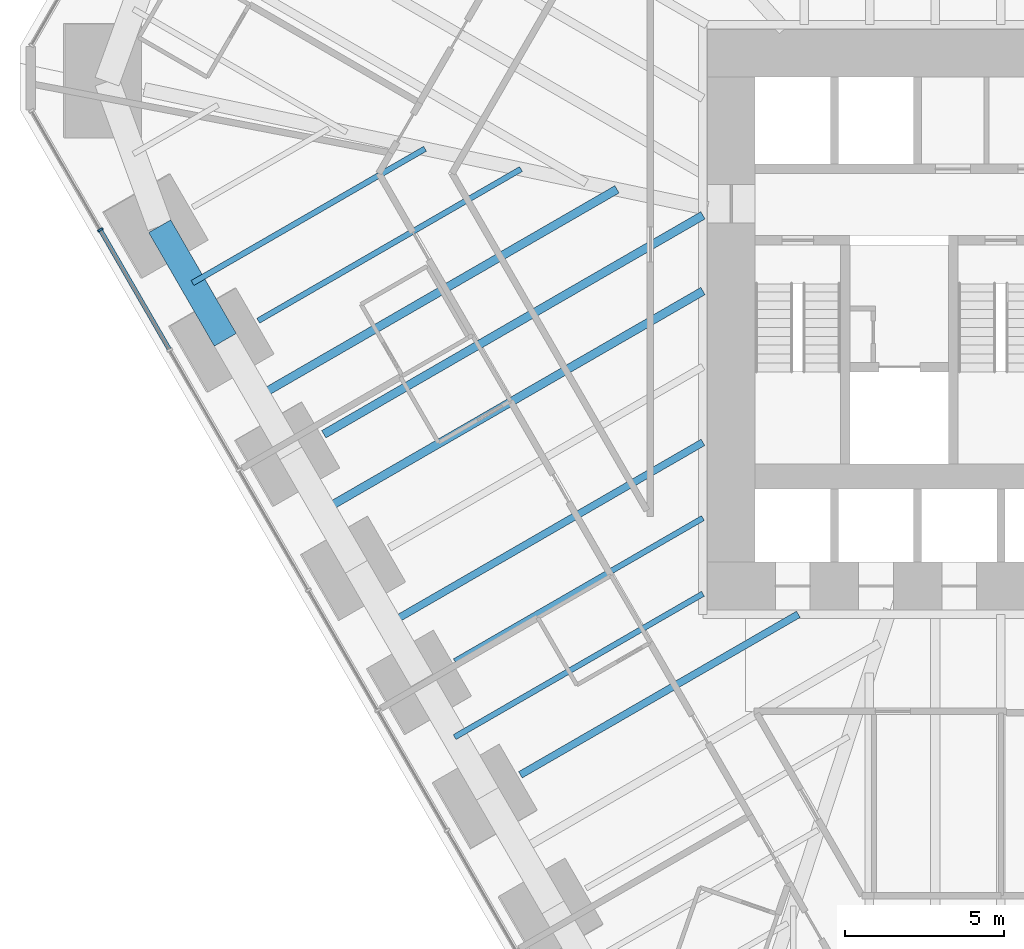
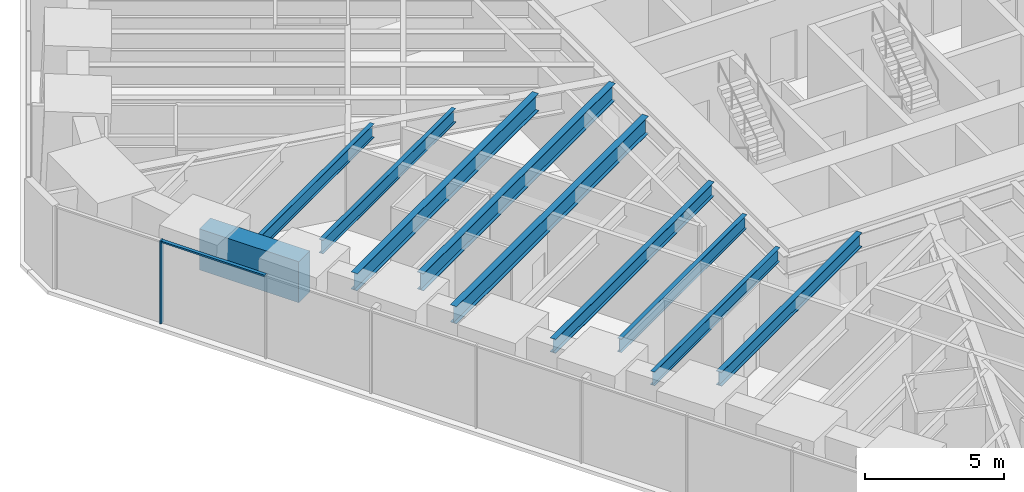
# One storey, part 3 of 17: 10 beams, 2 members, 1 element without a shape of its own.
"""IFC4 building model written with IfcOpenShell, lengths in metres."""

from ifc_helpers import new_model, si_unit, direction, frame, origin, origin_2d, place, context, subcontext, project, spatial, rectangle, i_section, extrude, material, material_profile, profile_set, type_object, element, aggregate, save


model = new_model("IFC4")

# Units and contexts
model_context = context("Model", 3, precision=1e-05, world=origin(), true_north=direction((0.0, 1.0)))
body_context = subcontext(model_context, "Body", "Model", "MODEL_VIEW")
ifc_project = project(units=[si_unit("LENGTHUNIT", "METRE"), si_unit("AREAUNIT", "SQUARE_METRE"), si_unit("VOLUMEUNIT", "CUBIC_METRE"), si_unit("PLANEANGLEUNIT", "RADIAN"), si_unit("MASSUNIT", "GRAM", prefix="KILO")], contexts=[model_context])

# Site, building, storey
site_placement = place(None, origin())
site = spatial("IfcSite", under=ifc_project, at=site_placement, CompositionType="ELEMENT")
building_placement = place(site_placement, origin())
building = spatial("IfcBuilding", under=site, at=building_placement, Name="Sandreach Pilgrim Tower", CompositionType="ELEMENT")
storey_placement = place(building_placement, frame((0.0, 0.0, 64.800048828125)))
storey = spatial("IfcBuildingStorey", under=building, at=storey_placement, Name="L15", CompositionType="ELEMENT", Elevation=64.800048828125)

# Curtain wall, members
ifc_material_1 = material(Name="Aluminium framed curtain wall", Category="aluminium")
curtain_wall_type = type_object("IfcCurtainWallType", Name="Hostel tower curtain wall", PredefinedType="NOTDEFINED", material=ifc_material_1)
curtain_wall_placement = place(storey_placement, origin())
curtain_wall = element("IfcCurtainWall", 1, at=curtain_wall_placement, inside=storey, type_object=curtain_wall_type, Name="CW-1 L15 SW", PredefinedType="NOTDEFINED")
ifc_material_2 = material(Name="Aluminium extrusion", Category="aluminium")
ifc_material_profile_1 = material_profile(ifc_material_2, rectangle(XDim=0.06494140625, YDim=0.179931640625, at=origin_2d()), Name="CW-1M 65X180")
ifc_profile_set_1 = profile_set([ifc_material_profile_1], Name="Aluminium extrusion")
member_type_1 = type_object("IfcMemberType", Name="CW-1 mullion", PredefinedType="MULLION", material=ifc_profile_set_1)
member_1_placement = place(storey_placement, frame((-28.390380859375, 1.2763671875, 0.0), z_axis=(0.0, 0.0, 1.0), x_axis=(-0.5, 0.866025403784, 0.0)))
member_1 = element("IfcMember", 2, at=member_1_placement, type_object=member_type_1, Name="CW-1 mullion 9", PredefinedType="MULLION", context=body_context, shape_type="SweptSolid", body=[
    extrude(rectangle(XDim=0.06494140625, YDim=0.179931640625, at=origin_2d()), origin(), (0.0, 0.0, 1.0), 3.639892578125),
])
ifc_material_3 = material(Name="Aluminium extrusion", Category="aluminium")
ifc_material_profile_2 = material_profile(ifc_material_3, rectangle(XDim=0.139892578125, YDim=0.070068359375, at=origin_2d()), Name="CW-1T 140X70")
ifc_profile_set_2 = profile_set([ifc_material_profile_2], Name="Aluminium extrusion")
member_type_2 = type_object("IfcMemberType", Name="CW-1 transom", PredefinedType="USERDEFINED", material=ifc_profile_set_2)
member_2_placement = place(storey_placement, frame((-26.220947265625, -2.4814453125, 3.60498046875), z_axis=(-0.500016891966, 0.866015650984, 0.0), x_axis=(-0.866015650984, -0.500016891966, 0.0)))
member_2 = element("IfcMember", 3, at=member_2_placement, type_object=member_type_2, Name="CW-1 head transom 8", ObjectType="TRANSOM", PredefinedType="USERDEFINED", context=body_context, shape_type="SweptSolid", body=[
    extrude(rectangle(XDim=0.139892578125, YDim=0.070068359375, at=origin_2d()), origin(), (0.0, 0.0, 1.0), 4.306396484375),
])
aggregate(curtain_wall, [member_1, member_2])

# Beams
ifc_material_4 = material(Name="Steel ASTM A992 Grade 50", Category="steel")
ifc_material_profile_3 = material_profile(ifc_material_4, i_section(OverallWidth=0.1787109375, OverallDepth=0.60205078125, WebThickness=0.010986328125, FlangeThickness=0.014892578125, at=origin_2d()), Name="W24X62")
ifc_profile_set_3 = profile_set([ifc_material_profile_3], Name="Steel ASTM A992 Grade 50")
beam_type_1 = type_object("IfcBeamType", Name="Floor beam W24X62", PredefinedType="BEAM", material=ifc_profile_set_3)
beam_1_placement = place(storey_placement, frame((-17.214111328125, -12.32421875, 3.3388671875), z_axis=(0.866035219743, 0.499982997875, 0.0), x_axis=(-0.499982997875, 0.866035219743, 0.0)))
element("IfcBeam", 4, at=beam_1_placement, inside=storey, type_object=beam_type_1, Name="BM L15 F30", PredefinedType="BEAM", context=body_context, shape_type="SweptSolid", body=[
    extrude(i_section(OverallWidth=0.1787109375, OverallDepth=0.60205078125, WebThickness=0.010986328125, FlangeThickness=0.014892578125, at=origin_2d()), origin(), (0.0, 0.0, 1.0), 9.030517578125),
])
beam_2_placement = place(storey_placement, frame((-23.412353515625, -1.58837890625, 3.3388671875), z_axis=(0.86603087054, 0.499990531182, 0.0), x_axis=(-0.499990531182, 0.86603087054, 0.0)))
element("IfcBeam", 5, at=beam_2_placement, inside=storey, type_object=beam_type_1, Name="BM L15 F33", PredefinedType="BEAM", context=body_context, shape_type="SweptSolid", body=[
    extrude(i_section(OverallWidth=0.1787109375, OverallDepth=0.60205078125, WebThickness=0.010986328125, FlangeThickness=0.014892578125, at=origin_2d()), origin(), (0.0, 0.0, 1.0), 9.565185546875),
])
beam_3_placement = place(storey_placement, frame((-17.22021484375, -14.713623046875, 3.3388671875), z_axis=(0.866028588687, 0.499994483546, 0.0), x_axis=(-0.499994483546, 0.866028588687, 0.0)))
element("IfcBeam", 6, at=beam_3_placement, inside=storey, type_object=beam_type_1, Name="BM L15 FM29", PredefinedType="BEAM", context=body_context, shape_type="SweptSolid", body=[
    extrude(i_section(OverallWidth=0.1787109375, OverallDepth=0.60205078125, WebThickness=0.010986328125, FlangeThickness=0.014892578125, at=origin_2d()), origin(), (0.0, 0.0, 1.0), 9.03759765625),
])
beam_4_placement = place(storey_placement, frame((-25.484619140625, -0.399169921875, 3.3388671875), z_axis=(0.866024677295, 0.500001258315, 0.0), x_axis=(-0.500001258315, 0.866024677295, 0.0)))
element("IfcBeam", 7, at=beam_4_placement, inside=storey, type_object=beam_type_1, Name="BM L15 FM33", PredefinedType="BEAM", context=body_context, shape_type="SweptSolid", body=[
    extrude(i_section(OverallWidth=0.1787109375, OverallDepth=0.60205078125, WebThickness=0.010986328125, FlangeThickness=0.014892578125, at=origin_2d()), origin(), (0.0, 0.0, 1.0), 8.46435546875),
])
ifc_material_5 = material(Name="Steel ASTM A992 Grade 50", Category="steel")
ifc_material_profile_4 = material_profile(ifc_material_5, i_section(OverallWidth=0.23046875, OverallDepth=0.6171875, WebThickness=0.01318359375, FlangeThickness=0.022216796875, at=origin_2d()), Name="W24X94")
ifc_profile_set_4 = profile_set([ifc_material_profile_4], Name="Steel ASTM A992 Grade 50")
beam_type_2 = type_object("IfcBeamType", Name="Floor beam W24X94", PredefinedType="BEAM", material=ifc_profile_set_4)
beam_5_placement = place(storey_placement, frame((-15.14794921875, -15.90283203125, 3.331298828125), z_axis=(0.866025277505, 0.500000218722, 0.0), x_axis=(-0.500000218722, 0.866025277505, 0.0)))
element("IfcBeam", 8, at=beam_5_placement, inside=storey, type_object=beam_type_2, Name="BM L15 F29", PredefinedType="BEAM", context=body_context, shape_type="SweptSolid", body=[
    extrude(i_section(OverallWidth=0.23046875, OverallDepth=0.6171875, WebThickness=0.01318359375, FlangeThickness=0.022216796875, at=origin_2d()), origin(), (0.0, 0.0, 1.0), 10.119140625),
])
beam_6_placement = place(storey_placement, frame((-19.286376953125, -11.135009765625, 3.331298828125), z_axis=(0.866028990792, 0.499993787068, 0.0), x_axis=(-0.499993787068, 0.866028990792, 0.0)))
element("IfcBeam", 9, at=beam_6_placement, inside=storey, type_object=beam_type_2, Name="BM L15 FM30", PredefinedType="BEAM", context=body_context, shape_type="SweptSolid", body=[
    extrude(i_section(OverallWidth=0.23046875, OverallDepth=0.6171875, WebThickness=0.01318359375, FlangeThickness=0.022216796875, at=origin_2d()), origin(), (0.0, 0.0, 1.0), 11.423583984375),
])
ifc_material_6 = material(Name="Steel ASTM A992 Grade 50", Category="steel")
ifc_material_profile_5 = material_profile(ifc_material_6, i_section(OverallWidth=0.2666015625, OverallDepth=0.761962890625, WebThickness=0.014404296875, FlangeThickness=0.021484375, at=origin_2d()), Name="W30X116")
ifc_profile_set_5 = profile_set([ifc_material_profile_5], Name="Steel ASTM A992 Grade 50")
beam_type_3 = type_object("IfcBeamType", Name="Floor beam W30X116", PredefinedType="BEAM", material=ifc_profile_set_5)
beam_7_placement = place(storey_placement, frame((-21.34619140625, -5.1669921875, 3.259033203125), z_axis=(0.866029170928, 0.49999347506, 0.0), x_axis=(-0.49999347506, 0.866029170928, 0.0)))
element("IfcBeam", 10, at=beam_7_placement, inside=storey, type_object=beam_type_3, Name="BM L15 F32", PredefinedType="BEAM", context=body_context, shape_type="SweptSolid", body=[
    extrude(i_section(OverallWidth=0.2666015625, OverallDepth=0.761962890625, WebThickness=0.014404296875, FlangeThickness=0.021484375, at=origin_2d()), origin(), (0.0, 0.0, 1.0), 13.802001953125),
])
beam_8_placement = place(storey_placement, frame((-21.352294921875, -7.556396484375, 3.259033203125), z_axis=(0.866024834103, 0.500000986716, 0.0), x_axis=(-0.500000986716, 0.866024834103, 0.0)))
element("IfcBeam", 11, at=beam_8_placement, inside=storey, type_object=beam_type_3, Name="BM L15 FM31", PredefinedType="BEAM", context=body_context, shape_type="SweptSolid", body=[
    extrude(i_section(OverallWidth=0.2666015625, OverallDepth=0.761962890625, WebThickness=0.014404296875, FlangeThickness=0.021484375, at=origin_2d()), origin(), (0.0, 0.0, 1.0), 13.80908203125),
])
beam_9_placement = place(storey_placement, frame((-23.41845703125, -3.977783203125, 3.259033203125), z_axis=(0.866022229169, 0.500005498556, 0.0), x_axis=(-0.500005498556, 0.866022229169, 0.0)))
element("IfcBeam", 12, at=beam_9_placement, inside=storey, type_object=beam_type_3, Name="BM L15 FM32", PredefinedType="BEAM", context=body_context, shape_type="SweptSolid", body=[
    extrude(i_section(OverallWidth=0.2666015625, OverallDepth=0.761962890625, WebThickness=0.014404296875, FlangeThickness=0.021484375, at=origin_2d()), origin(), (0.0, 0.0, 1.0), 13.066162109375),
])
ifc_material_7 = material(Name="Concrete 10000 psi", Category="concrete")
ifc_material_profile_6 = material_profile(ifc_material_7, rectangle(XDim=0.800048828125, YDim=1.800048828125, at=origin_2d()), Name="RC800X1800")
ifc_profile_set_6 = profile_set([ifc_material_profile_6], Name="Concrete 10000 psi")
beam_type_4 = type_object("IfcBeamType", Name="Spandrel beam RC800X1800", PredefinedType="SPANDREL", material=ifc_profile_set_6)
beam_10_placement = place(storey_placement, frame((-24.451416015625, -2.1884765625, 2.739990234375), z_axis=(-0.500008851346, 0.866020293397, 0.0), x_axis=(-0.866020293397, -0.500008851346, 0.0)))
element("IfcBeam", 13, at=beam_10_placement, inside=storey, type_object=beam_type_4, Name="BM L15 SP33", PredefinedType="SPANDREL", context=body_context, shape_type="SweptSolid", body=[
    extrude(rectangle(XDim=0.800048828125, YDim=1.800048828125, at=origin_2d()), origin(), (0.0, 0.0, 1.0), 4.13232421875),
])

save(model, "model.ifc")
